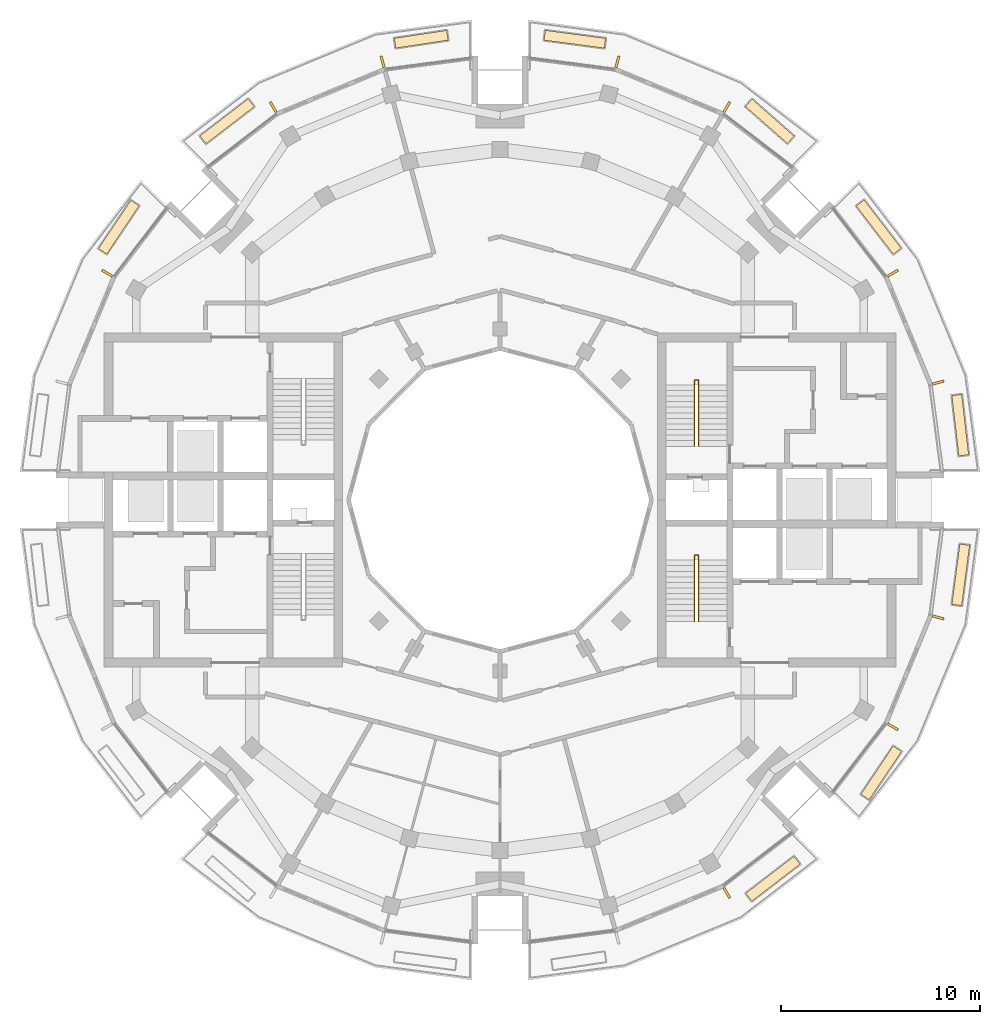
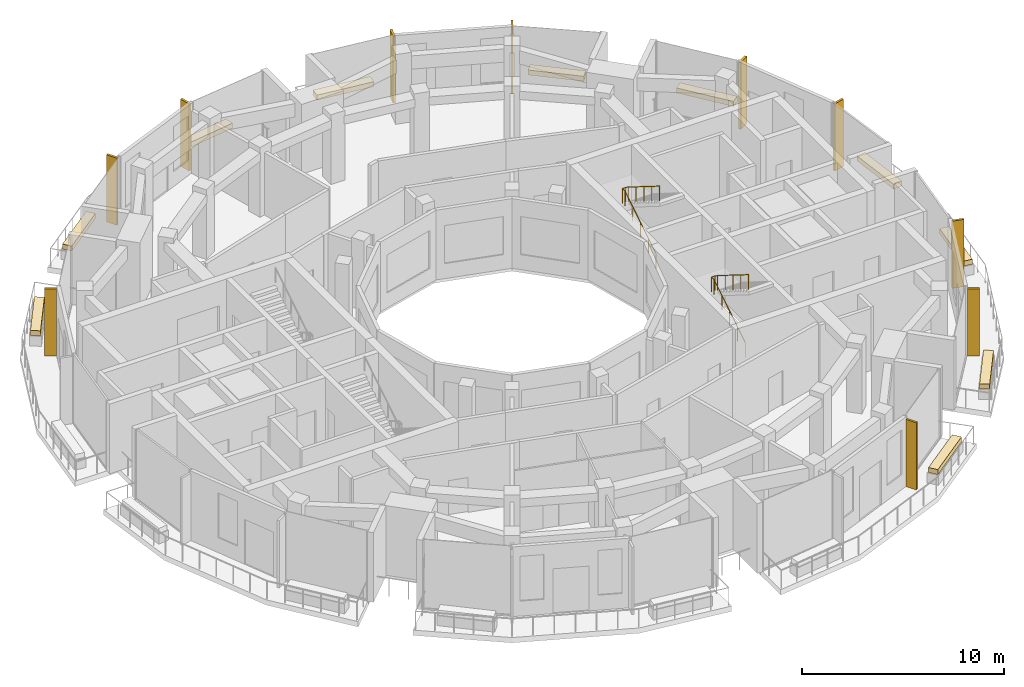
# One storey, part 15 of 16: 10 coverings, 10 shading devices, 2 railings.
"""IFC4 building model written with IfcOpenShell, lengths in metres."""

from ifc_helpers import new_model, si_unit, direction, frame, origin, origin_2d, place, context, subcontext, project, spatial, polyline, rectangle, circle, outline, extrude, material, layer, layer_set, material_profile, profile_set, type_object, element, save


model = new_model("IFC4")

# Units and contexts
model_context = context("Model", 3, precision=1e-05, world=origin(), true_north=direction((0.0, 1.0)))
body_context = subcontext(model_context, "Body", "Model", "MODEL_VIEW")
ifc_project = project(units=[si_unit("LENGTHUNIT", "METRE"), si_unit("AREAUNIT", "SQUARE_METRE"), si_unit("VOLUMEUNIT", "CUBIC_METRE"), si_unit("PLANEANGLEUNIT", "RADIAN"), si_unit("MASSUNIT", "GRAM", prefix="KILO")], contexts=[model_context])

# Site, building, storey
site_placement = place(None, origin())
site = spatial("IfcSite", under=ifc_project, at=site_placement, CompositionType="ELEMENT")
building_placement = place(site_placement, origin())
building = spatial("IfcBuilding", under=site, at=building_placement, Name="Torre Brocal", CompositionType="ELEMENT")
storey_placement = place(building_placement, frame((0.0, 0.0, 292.5)))
storey = spatial("IfcBuildingStorey", under=building, at=storey_placement, Name="L67", CompositionType="ELEMENT", Elevation=292.5)

# Shading devices
ifc_material_1 = material(Name="Aluminium, black anodised", Category="aluminium")
ifc_material_profile = material_profile(ifc_material_1, rectangle(XDim=0.1201171875, YDim=0.60009765625, at=origin_2d()), Name="FIN 120X600 4050 HIGH FROM FLOOR")
ifc_profile_set = profile_set([ifc_material_profile], Name="Aluminium, black anodised")
shading_device_type = type_object("IfcShadingDeviceType", Name="FIN 120X600 4050 HIGH FROM FLOOR", PredefinedType="USERDEFINED", material=ifc_profile_set)
for number, where, z_axis, x_axis, name in (
    (1, (102.015380859375, 80.89892578125, 0.0), (0.0, 0.0, 1.0), (-0.258819045103, 0.965925826289, 0.0), "FIN"),
    (2, (99.738525390625, 86.39599609375, 0.0), (0.0, 0.0, 1.0), (-0.5, 0.866025403784, 0.0), "FIN"),
    (3, (91.39599609375, 94.738525390625, 0.0), (0.0, 0.0, 1.0), (-0.866025403784, 0.5, 0.0), "FIN"),
    (4, (85.89892578125, 97.015380859375, 0.0), (0.0, 0.0, 1.0), (-0.965925826289, 0.258819045103, 0.0), "FIN"),
    (5, (74.10107421875, 97.015380859375, 0.0), (0.0, 0.0, 1.0), (-0.965925826289, -0.258819045103, 0.0), "FIN"),
    (6, (68.60400390625, 94.738525390625, 0.0), (0.0, 0.0, 1.0), (-0.866025403784, -0.5, 0.0), "FIN"),
    (7, (60.261474609375, 86.39599609375, 0.0), (0.0, 0.0, 1.0), (-0.5, -0.866025403784, 0.0), "FIN"),
    (8, (91.39599609375, 55.261474609375, 0.0), (0.0, 0.0, 1.0), (0.866025403784, 0.5, 0.0), "FIN"),
    (9, (99.738525390625, 63.60400390625, 0.0), (0.0, 0.0, 1.0), (0.5, 0.866025403784, 0.0), "FIN"),
    (10, (102.015380859375, 69.10107421875, 0.0), (0.0, 0.0, 1.0), (0.258819045103, 0.965925826289, 0.0), "FIN"),
):
    element("IfcShadingDevice", number, at=place(storey_placement, frame(where, z_axis=z_axis, x_axis=x_axis)), inside=storey, type_object=shading_device_type, Name=name, ObjectType="FIN", PredefinedType="USERDEFINED", context=body_context, shape_type="SweptSolid", body=[
        extrude(rectangle(XDim=0.1201171875, YDim=0.60009765625, at=origin_2d()), origin(), (0.0, 0.0, 1.0), 4.050048828125),
    ])

# Coverings
ifc_material_2 = material(Name="Planting soil")
ifc_layer = layer(ifc_material_2, 0.300048828125)
ifc_layer_set = layer_set([ifc_layer], Name="Planting soil")
covering_type = type_object("IfcCoveringType", Name="PLANTING SOIL 300", PredefinedType="FLOORING", material=ifc_layer_set)
covering_1_placement = place(storey_placement, frame((0.0, 0.0, 0.60009765625)))
element("IfcCovering", 11, at=covering_1_placement, inside=storey, type_object=covering_type, Name="PLANTING SOIL", PredefinedType="FLOORING", context=body_context, shape_type="SweptSolid", body=[
    extrude(outline(polyline([(103.047607421875, 77.21435546875), (102.69873046875, 80.247802734375), (103.195556640625, 80.304931640625), (103.54443359375, 77.271484375), (103.047607421875, 77.21435546875)])), origin(), (0.0, 0.0, 1.0), 0.2998046875),
])
covering_2_placement = place(storey_placement, frame((0.0, 0.0, 0.60009765625)))
element("IfcCovering", 12, at=covering_2_placement, inside=storey, type_object=covering_type, Name="PLANTING SOIL", PredefinedType="FLOORING", context=body_context, shape_type="SweptSolid", body=[
    extrude(outline(polyline([(99.75927734375, 87.343505859375), (97.896728515625, 89.77099609375), (98.293212890625, 90.075439453125), (100.156005859375, 87.64794921875), (99.75927734375, 87.343505859375)])), origin(), (0.0, 0.0, 1.0), 0.2998046875),
])
covering_3_placement = place(storey_placement, frame((0.0, 0.0, 0.60009765625)))
element("IfcCovering", 13, at=covering_3_placement, inside=storey, type_object=covering_type, Name="PLANTING SOIL", PredefinedType="FLOORING", context=body_context, shape_type="SweptSolid", body=[
    extrude(outline(polyline([(94.443115234375, 92.90966796875), (92.32861328125, 94.767333984375), (92.65869140625, 95.14306640625), (94.77294921875, 93.285400390625), (94.443115234375, 92.90966796875)])), origin(), (0.0, 0.0, 1.0), 0.2998046875),
])
covering_4_placement = place(storey_placement, frame((0.0, 0.0, 0.60009765625)))
element("IfcCovering", 14, at=covering_4_placement, inside=storey, type_object=covering_type, Name="PLANTING SOIL", PredefinedType="FLOORING", context=body_context, shape_type="SweptSolid", body=[
    extrude(outline(polyline([(85.243896484375, 97.7001953125), (82.210205078125, 98.099609375), (82.275390625, 98.59521484375), (85.30908203125, 98.19580078125), (85.243896484375, 97.7001953125)])), origin(), (0.0, 0.0, 1.0), 0.2998046875),
])
covering_5_placement = place(storey_placement, frame((0.0, 0.0, 0.60009765625)))
element("IfcCovering", 15, at=covering_5_placement, inside=storey, type_object=covering_type, Name="PLANTING SOIL", PredefinedType="FLOORING", context=body_context, shape_type="SweptSolid", body=[
    extrude(outline(polyline([(77.398193359375, 98.099365234375), (74.7607421875, 97.70166015625), (74.686279296875, 98.196044921875), (77.323486328125, 98.59375), (77.398193359375, 98.099365234375)])), origin(), (0.0, 0.0, 1.0), 0.2998046875),
])
covering_6_placement = place(storey_placement, frame((0.0, 0.0, 0.60009765625)))
element("IfcCovering", 16, at=covering_6_placement, inside=storey, type_object=covering_type, Name="PLANTING SOIL", PredefinedType="FLOORING", context=body_context, shape_type="SweptSolid", body=[
    extrude(outline(polyline([(67.656494140625, 94.75927734375), (65.22900390625, 92.896728515625), (64.924560546875, 93.293212890625), (67.35205078125, 95.156005859375), (67.656494140625, 94.75927734375)])), origin(), (0.0, 0.0, 1.0), 0.2998046875),
])
covering_7_placement = place(storey_placement, frame((0.0, 0.0, 0.60009765625)))
element("IfcCovering", 17, at=covering_7_placement, inside=storey, type_object=covering_type, Name="PLANTING SOIL", PredefinedType="FLOORING", context=body_context, shape_type="SweptSolid", body=[
    extrude(outline(polyline([(61.871826171875, 89.7822265625), (60.247314453125, 87.3583984375), (59.83203125, 87.63671875), (61.45654296875, 90.060546875), (61.871826171875, 89.7822265625)])), origin(), (0.0, 0.0, 1.0), 0.2998046875),
])
covering_8_placement = place(storey_placement, frame((0.0, 0.0, 0.60009765625)))
element("IfcCovering", 18, at=covering_8_placement, inside=storey, type_object=covering_type, Name="PLANTING SOIL", PredefinedType="FLOORING", context=body_context, shape_type="SweptSolid", body=[
    extrude(outline(polyline([(92.343505859375, 55.24072265625), (94.77099609375, 57.103271484375), (95.075439453125, 56.706787109375), (92.64794921875, 54.843994140625), (92.343505859375, 55.24072265625)])), origin(), (0.0, 0.0, 1.0), 0.2998046875),
])
covering_9_placement = place(storey_placement, frame((0.0, 0.0, 0.60009765625)))
element("IfcCovering", 19, at=covering_9_placement, inside=storey, type_object=covering_type, Name="PLANTING SOIL", PredefinedType="FLOORING", context=body_context, shape_type="SweptSolid", body=[
    extrude(outline(polyline([(98.128173828125, 60.2177734375), (99.752685546875, 62.6416015625), (100.16796875, 62.36328125), (98.54345703125, 59.939453125), (98.128173828125, 60.2177734375)])), origin(), (0.0, 0.0, 1.0), 0.2998046875),
])
covering_10_placement = place(storey_placement, frame((0.0, 0.0, 0.60009765625)))
element("IfcCovering", 20, at=covering_10_placement, inside=storey, type_object=covering_type, Name="PLANTING SOIL", PredefinedType="FLOORING", context=body_context, shape_type="SweptSolid", body=[
    extrude(outline(polyline([(102.7001953125, 69.756103515625), (103.099609375, 72.789794921875), (103.59521484375, 72.724609375), (103.19580078125, 69.69091796875), (102.7001953125, 69.756103515625)])), origin(), (0.0, 0.0, 1.0), 0.2998046875),
])

# Railings
ifc_material_3 = material(Name="Stainless steel AISI 316", Category="steel")
railing_type = type_object("IfcRailingType", Name="STAIR HANDRAIL", PredefinedType="HANDRAIL", material=ifc_material_3)
railing_1_placement = place(storey_placement, frame((89.780029296875, 77.699951171875, 0.175048828125)))
element("IfcRailing", 21, at=railing_1_placement, inside=storey, type_object=railing_type, Name="HANDRAIL ST1", PredefinedType="HANDRAIL", context=body_context, shape_type="SweptSolid", body=[
    extrude(circle(Radius=0.02392578125, at=origin_2d()), frame((0.0, 0.0, 0.8759765625), z_axis=(0.0, 0.847998304005, 0.529998940003), x_axis=(-1.0, 0.0, 0.0)), (0.0, 0.0, 1.0), 3.632080078125),
    extrude(circle(Radius=0.02392578125, at=origin_2d()), frame((0.0, 3.080078125, 2.80078125), z_axis=(0.0, 1.0, 0.0), x_axis=(-1.0, 0.0, 0.0)), (0.0, 0.0, 1.0), 0.25),
    extrude(circle(Radius=0.02392578125, at=origin_2d()), frame((0.0, 3.330078125, 2.80078125), z_axis=(1.0, 0.0, 0.0), x_axis=(0.0, 1.0, 0.0)), (0.0, 0.0, 1.0), 0.18994140625),
    extrude(circle(Radius=0.02392578125, at=origin_2d()), frame((0.18994140625, 3.330078125, 2.80078125), z_axis=(0.0, -0.81953260104, 0.573032560883), x_axis=(1.0, 0.0, 0.0)), (0.0, 0.0, 1.0), 0.304931640625),
    extrude(circle(Radius=0.02392578125, at=origin_2d()), frame((0.18994140625, 3.080078125, 2.9755859375), z_axis=(0.0, -0.847998304005, 0.529998940003), x_axis=(1.0, 0.0, 0.0)), (0.0, 0.0, 1.0), 3.632080078125),
    extrude(circle(Radius=0.02099609375, at=origin_2d()), origin(), (0.0, 0.0, 1.0), 0.851806640625),
    extrude(circle(Radius=0.02099609375, at=origin_2d()), frame((0.0, 0.77001953125, 0.481201171875)), (0.0, 0.0, 1.0), 0.851806640625),
    extrude(circle(Radius=0.02099609375, at=origin_2d()), frame((0.0, 1.5400390625, 0.96240234375)), (0.0, 0.0, 1.0), 0.851806640625),
    extrude(circle(Radius=0.02099609375, at=origin_2d()), frame((0.0, 2.31005859375, 1.44384765625)), (0.0, 0.0, 1.0), 0.851806640625),
    extrude(circle(Radius=0.02099609375, at=origin_2d()), frame((0.0, 3.080078125, 1.925048828125)), (0.0, 0.0, 1.0), 0.851806640625),
    extrude(circle(Radius=0.02099609375, at=origin_2d()), frame((0.0, 3.330078125, 1.925048828125)), (0.0, 0.0, 1.0), 0.851806640625),
    extrude(circle(Radius=0.02099609375, at=origin_2d()), frame((0.18994140625, 3.330078125, 1.925048828125)), (0.0, 0.0, 1.0), 0.851806640625),
    extrude(circle(Radius=0.02099609375, at=origin_2d()), frame((0.18994140625, 3.080078125, 2.099853515625)), (0.0, 0.0, 1.0), 0.851806640625),
    extrude(circle(Radius=0.02099609375, at=origin_2d()), frame((0.18994140625, 2.31005859375, 2.5810546875)), (0.0, 0.0, 1.0), 0.851806640625),
    extrude(circle(Radius=0.02099609375, at=origin_2d()), frame((0.18994140625, 1.5400390625, 3.0625)), (0.0, 0.0, 1.0), 0.851806640625),
    extrude(circle(Radius=0.02099609375, at=origin_2d()), frame((0.18994140625, 0.77001953125, 3.543701171875)), (0.0, 0.0, 1.0), 0.851806640625),
    extrude(circle(Radius=0.02099609375, at=origin_2d()), frame((0.18994140625, 0.0, 4.02490234375)), (0.0, 0.0, 1.0), 0.851806640625),
])
railing_2_placement = place(storey_placement, frame((89.780029296875, 68.89990234375, 0.175048828125)))
element("IfcRailing", 22, at=railing_2_placement, inside=storey, type_object=railing_type, Name="HANDRAIL ST2", PredefinedType="HANDRAIL", context=body_context, shape_type="SweptSolid", body=[
    extrude(circle(Radius=0.02392578125, at=origin_2d()), frame((0.0, 0.0, 0.8759765625), z_axis=(0.0, 0.847998304005, 0.529998940003), x_axis=(-1.0, 0.0, 0.0)), (0.0, 0.0, 1.0), 3.632080078125),
    extrude(circle(Radius=0.02392578125, at=origin_2d()), frame((0.0, 3.080078125, 2.80078125), z_axis=(0.0, 1.0, 0.0), x_axis=(-1.0, 0.0, 0.0)), (0.0, 0.0, 1.0), 0.25),
    extrude(circle(Radius=0.02392578125, at=origin_2d()), frame((0.0, 3.330078125, 2.80078125), z_axis=(1.0, 0.0, 0.0), x_axis=(0.0, 1.0, 0.0)), (0.0, 0.0, 1.0), 0.18994140625),
    extrude(circle(Radius=0.02392578125, at=origin_2d()), frame((0.18994140625, 3.330078125, 2.80078125), z_axis=(0.0, -0.81953260104, 0.573032560883), x_axis=(1.0, 0.0, 0.0)), (0.0, 0.0, 1.0), 0.304931640625),
    extrude(circle(Radius=0.02392578125, at=origin_2d()), frame((0.18994140625, 3.080078125, 2.9755859375), z_axis=(0.0, -0.847998304005, 0.529998940003), x_axis=(1.0, 0.0, 0.0)), (0.0, 0.0, 1.0), 3.632080078125),
    extrude(circle(Radius=0.02099609375, at=origin_2d()), origin(), (0.0, 0.0, 1.0), 0.851806640625),
    extrude(circle(Radius=0.02099609375, at=origin_2d()), frame((0.0, 0.77001953125, 0.481201171875)), (0.0, 0.0, 1.0), 0.851806640625),
    extrude(circle(Radius=0.02099609375, at=origin_2d()), frame((0.0, 1.5400390625, 0.96240234375)), (0.0, 0.0, 1.0), 0.851806640625),
    extrude(circle(Radius=0.02099609375, at=origin_2d()), frame((0.0, 2.31005859375, 1.44384765625)), (0.0, 0.0, 1.0), 0.851806640625),
    extrude(circle(Radius=0.02099609375, at=origin_2d()), frame((0.0, 3.080078125, 1.925048828125)), (0.0, 0.0, 1.0), 0.851806640625),
    extrude(circle(Radius=0.02099609375, at=origin_2d()), frame((0.0, 3.330078125, 1.925048828125)), (0.0, 0.0, 1.0), 0.851806640625),
    extrude(circle(Radius=0.02099609375, at=origin_2d()), frame((0.18994140625, 3.330078125, 1.925048828125)), (0.0, 0.0, 1.0), 0.851806640625),
    extrude(circle(Radius=0.02099609375, at=origin_2d()), frame((0.18994140625, 3.080078125, 2.099853515625)), (0.0, 0.0, 1.0), 0.851806640625),
    extrude(circle(Radius=0.02099609375, at=origin_2d()), frame((0.18994140625, 2.31005859375, 2.5810546875)), (0.0, 0.0, 1.0), 0.851806640625),
    extrude(circle(Radius=0.02099609375, at=origin_2d()), frame((0.18994140625, 1.5400390625, 3.0625)), (0.0, 0.0, 1.0), 0.851806640625),
    extrude(circle(Radius=0.02099609375, at=origin_2d()), frame((0.18994140625, 0.77001953125, 3.543701171875)), (0.0, 0.0, 1.0), 0.851806640625),
    extrude(circle(Radius=0.02099609375, at=origin_2d()), frame((0.18994140625, 0.0, 4.02490234375)), (0.0, 0.0, 1.0), 0.851806640625),
])

save(model, "model.ifc")
